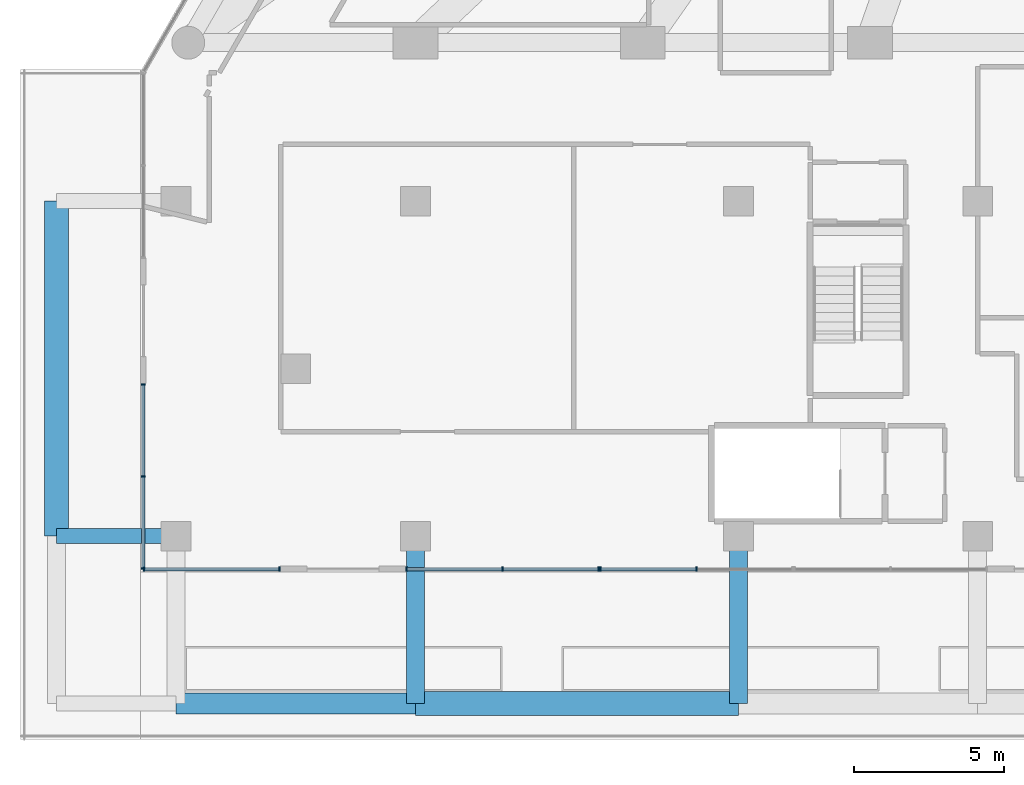
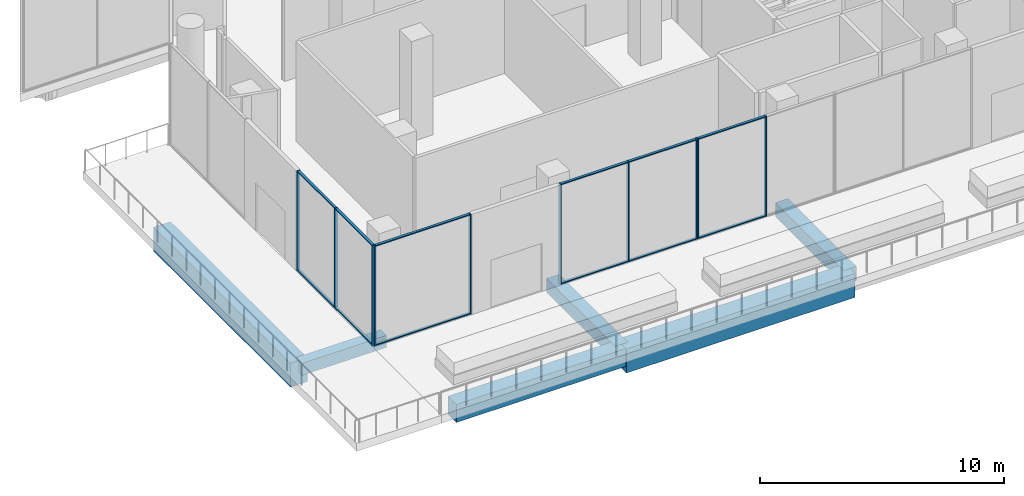
# One storey, part 2 of 32: 22 members, 6 beams, 4 elements without a shape of their own.
"""IFC4 building model written with IfcOpenShell, lengths in metres."""

from ifc_helpers import new_model, si_unit, direction, frame, origin, origin_2d, place, context, subcontext, project, spatial, rectangle, extrude, material, layer, layer_set, material_profile, profile_set, type_object, element, aggregate, save


model = new_model("IFC4")

# Units and contexts
model_context = context("Model", 3, precision=1e-05, world=origin(), true_north=direction((0.0, 1.0)))
body_context = subcontext(model_context, "Body", "Model", "MODEL_VIEW")
ifc_project = project(units=[si_unit("LENGTHUNIT", "METRE"), si_unit("AREAUNIT", "SQUARE_METRE"), si_unit("VOLUMEUNIT", "CUBIC_METRE"), si_unit("PLANEANGLEUNIT", "RADIAN"), si_unit("MASSUNIT", "GRAM", prefix="KILO")], contexts=[model_context])

# Site, building, storey
site_placement = place(None, origin())
site = spatial("IfcSite", under=ifc_project, at=site_placement, CompositionType="ELEMENT")
building_placement = place(site_placement, origin())
building = spatial("IfcBuilding", under=site, at=building_placement, Name="Triada Interchange Tower", CompositionType="ELEMENT")
storey_placement = place(building_placement, frame((0.0, 0.0, 14.5)))
storey = spatial("IfcBuildingStorey", under=building, at=storey_placement, Name="L02", CompositionType="ELEMENT", Elevation=14.5)

# Curtain wall, members
ifc_material_1 = material(Name="Aluminium framed glazing", Category="aluminium")
ifc_layer = layer(ifc_material_1, 0.199951171875)
ifc_layer_set = layer_set([ifc_layer], Name="Curtain wall Retail shopfront")
curtain_wall_type = type_object("IfcCurtainWallType", Name="Curtain wall Retail shopfront", PredefinedType="NOTDEFINED", material=ifc_layer_set)
curtain_wall_1_placement = place(storey_placement, origin())
curtain_wall_1 = element("IfcCurtainWall", 1, at=curtain_wall_1_placement, inside=storey, type_object=curtain_wall_type, Name="Retail shopfront CW001 L02", PredefinedType="NOTDEFINED")
ifc_material_2 = material(Name="Aluminium", Category="aluminium")
ifc_material_profile_1 = material_profile(ifc_material_2, rectangle(XDim=0.14990234375, YDim=0.050048828125, at=origin_2d()), Name="Aluminium mullion")
ifc_profile_set_1 = profile_set([ifc_material_profile_1], Name="Aluminium")
member_type_1 = type_object("IfcMemberType", Name="Mullion Retail shopfront 150x50", PredefinedType="MULLION", material=ifc_profile_set_1)
member_1_placement = place(storey_placement, frame((-31.875, -39.199951171875, 0.0), z_axis=(0.0, 0.0, 1.0), x_axis=(0.0, 1.0, 0.0)))
member_1 = element("IfcMember", 2, at=member_1_placement, type_object=member_type_1, Name="CW001 mullion 1", PredefinedType="MULLION", context=body_context, shape_type="SweptSolid", body=[
    extrude(rectangle(XDim=0.14990234375, YDim=0.050048828125, at=origin_2d()), origin(), (0.0, 0.0, 1.0), 5.0),
])
member_2_placement = place(storey_placement, frame((-27.35009765625, -39.199951171875, 0.0), z_axis=(0.0, 0.0, 1.0), x_axis=(0.0, 1.0, 0.0)))
member_2 = element("IfcMember", 3, at=member_2_placement, type_object=member_type_1, Name="CW001 mullion 2", PredefinedType="MULLION", context=body_context, shape_type="SweptSolid", body=[
    extrude(rectangle(XDim=0.14990234375, YDim=0.050048828125, at=origin_2d()), origin(), (0.0, 0.0, 1.0), 5.0),
])

curtain_wall_2_placement = place(storey_placement, origin())
curtain_wall_2 = element("IfcCurtainWall", 4, at=curtain_wall_2_placement, inside=storey, type_object=curtain_wall_type, Name="Retail shopfront CW002 L02", PredefinedType="NOTDEFINED")
member_3_placement = place(storey_placement, frame((-23.10009765625, -39.199951171875, 0.0), z_axis=(0.0, 0.0, 1.0), x_axis=(0.0, 1.0, 0.0)))
member_3 = element("IfcMember", 5, at=member_3_placement, type_object=member_type_1, Name="CW002 mullion 1", PredefinedType="MULLION", context=body_context, shape_type="SweptSolid", body=[
    extrude(rectangle(XDim=0.14990234375, YDim=0.050048828125, at=origin_2d()), origin(), (0.0, 0.0, 1.0), 5.0),
])
member_4_placement = place(storey_placement, frame((-19.885986328125, -39.199951171875, 0.0), z_axis=(0.0, 0.0, 1.0), x_axis=(0.0, 1.0, 0.0)))
member_4 = element("IfcMember", 6, at=member_4_placement, type_object=member_type_1, Name="CW002 mullion 2", PredefinedType="MULLION", context=body_context, shape_type="SweptSolid", body=[
    extrude(rectangle(XDim=0.14990234375, YDim=0.050048828125, at=origin_2d()), origin(), (0.0, 0.0, 1.0), 5.0),
])
member_5_placement = place(storey_placement, frame((-16.672119140625, -39.199951171875, 0.0), z_axis=(0.0, 0.0, 1.0), x_axis=(0.0, 1.0, 0.0)))
member_5 = element("IfcMember", 7, at=member_5_placement, type_object=member_type_1, Name="CW002 mullion 3", PredefinedType="MULLION", context=body_context, shape_type="SweptSolid", body=[
    extrude(rectangle(XDim=0.14990234375, YDim=0.050048828125, at=origin_2d()), origin(), (0.0, 0.0, 1.0), 5.0),
])

curtain_wall_3_placement = place(storey_placement, origin())
curtain_wall_3 = element("IfcCurtainWall", 8, at=curtain_wall_3_placement, inside=storey, type_object=curtain_wall_type, Name="Retail shopfront CW003 L02", PredefinedType="NOTDEFINED")
member_6_placement = place(storey_placement, frame((-16.612060546875, -39.199951171875, 0.0), z_axis=(0.0, 0.0, 1.0), x_axis=(0.0, 1.0, 0.0)))
member_6 = element("IfcMember", 9, at=member_6_placement, type_object=member_type_1, Name="CW003 mullion 1", PredefinedType="MULLION", context=body_context, shape_type="SweptSolid", body=[
    extrude(rectangle(XDim=0.14990234375, YDim=0.050048828125, at=origin_2d()), origin(), (0.0, 0.0, 1.0), 5.0),
])
member_7_placement = place(storey_placement, frame((-13.39990234375, -39.199951171875, 0.0), z_axis=(0.0, 0.0, 1.0), x_axis=(0.0, 1.0, 0.0)))
member_7 = element("IfcMember", 10, at=member_7_placement, type_object=member_type_1, Name="CW003 mullion 2", PredefinedType="MULLION", context=body_context, shape_type="SweptSolid", body=[
    extrude(rectangle(XDim=0.14990234375, YDim=0.050048828125, at=origin_2d()), origin(), (0.0, 0.0, 1.0), 5.0),
])

curtain_wall_4_placement = place(storey_placement, origin())
curtain_wall_4 = element("IfcCurtainWall", 11, at=curtain_wall_4_placement, inside=storey, type_object=curtain_wall_type, Name="Retail shopfront CW034 L02", PredefinedType="NOTDEFINED")
member_8_placement = place(storey_placement, frame((-31.89990234375, -33.02490234375, 0.0), z_axis=(0.0, 0.0, 1.0), x_axis=(1.0, 0.0, 0.0)))
member_8 = element("IfcMember", 12, at=member_8_placement, type_object=member_type_1, Name="CW034 mullion 1", PredefinedType="MULLION", context=body_context, shape_type="SweptSolid", body=[
    extrude(rectangle(XDim=0.14990234375, YDim=0.050048828125, at=origin_2d()), origin(), (0.0, 0.0, 1.0), 5.0),
])
member_9_placement = place(storey_placement, frame((-31.89990234375, -36.10009765625, 0.0), z_axis=(0.0, 0.0, 1.0), x_axis=(1.0, 0.0, 0.0)))
member_9 = element("IfcMember", 13, at=member_9_placement, type_object=member_type_1, Name="CW034 mullion 2", PredefinedType="MULLION", context=body_context, shape_type="SweptSolid", body=[
    extrude(rectangle(XDim=0.14990234375, YDim=0.050048828125, at=origin_2d()), origin(), (0.0, 0.0, 1.0), 5.0),
])
member_10_placement = place(storey_placement, frame((-31.89990234375, -39.175048828125, 0.0), z_axis=(0.0, 0.0, 1.0), x_axis=(1.0, 0.0, 0.0)))
member_10 = element("IfcMember", 14, at=member_10_placement, type_object=member_type_1, Name="CW034 mullion 3", PredefinedType="MULLION", context=body_context, shape_type="SweptSolid", body=[
    extrude(rectangle(XDim=0.14990234375, YDim=0.050048828125, at=origin_2d()), origin(), (0.0, 0.0, 1.0), 5.0),
])

# Beams
ifc_material_3 = material(Name="Concrete C40/50", Category="concrete")
ifc_material_profile_2 = material_profile(ifc_material_3, rectangle(XDim=0.5, YDim=0.60009765625, at=origin_2d()), Name="RC 500x600")
ifc_profile_set_2 = profile_set([ifc_material_profile_2], Name="Concrete C40/50")
beam_type_1 = type_object("IfcBeamType", Name="Terrace beam RC 500x600", PredefinedType="BEAM", material=ifc_profile_set_2)
beam_1_placement = place(storey_placement, frame((-34.800048828125, -38.10009765625, -0.699951171875), z_axis=(1.0, 0.0, 0.0), x_axis=(0.0, 1.0, 0.0)))
element("IfcBeam", 15, at=beam_1_placement, inside=storey, type_object=beam_type_1, Name="Terrace beam TE02 L02", PredefinedType="BEAM", context=body_context, shape_type="SweptSolid", body=[
    extrude(rectangle(XDim=0.5, YDim=0.60009765625, at=origin_2d()), origin(), (0.0, 0.0, 1.0), 4.0),
])
ifc_material_profile_3 = material_profile(ifc_material_3, rectangle(XDim=0.60009765625, YDim=0.699951171875, at=origin_2d()), Name="RC 600x700")
ifc_profile_set_3 = profile_set([ifc_material_profile_3], Name="Concrete C40/50")
beam_type_2 = type_object("IfcBeamType", Name="Terrace beam RC 600x700", PredefinedType="BEAM", material=ifc_profile_set_3)
for number, where, z_axis, x_axis, name in (
    (16, (-22.800048828125, -43.699951171875, -0.75), (0.0, 1.0, 0.0), (-1.0, 0.0, 0.0), "Terrace beam TE12 L02"),
    (17, (-12.0, -43.699951171875, -0.75), (0.0, 1.0, 0.0), (-1.0, 0.0, 0.0), "Terrace beam TE13 L02"),
):
    element("IfcBeam", number, at=place(storey_placement, frame(where, z_axis=z_axis, x_axis=x_axis)), inside=storey, type_object=beam_type_2, Name=name, PredefinedType="BEAM", context=body_context, shape_type="SweptSolid", body=[
        extrude(rectangle(XDim=0.60009765625, YDim=0.699951171875, at=origin_2d()), origin(), (0.0, 0.0, 1.0), 5.599853515625),
    ])
ifc_material_profile_4 = material_profile(ifc_material_3, rectangle(XDim=0.699951171875, YDim=0.89990234375, at=origin_2d()), Name="RC 700x900")
ifc_profile_set_4 = profile_set([ifc_material_profile_4], Name="Concrete C40/50")
beam_type_3 = type_object("IfcBeamType", Name="Terrace beam RC 700x900", PredefinedType="BEAM", material=ifc_profile_set_4)
beam_2_placement = place(storey_placement, frame((-30.800048828125, -43.699951171875, -0.85009765625), z_axis=(1.0, 0.0, 0.0), x_axis=(0.0, 1.0, 0.0)))
element("IfcBeam", 18, at=beam_2_placement, inside=storey, type_object=beam_type_3, Name="Terrace beam TE19 L02", PredefinedType="BEAM", context=body_context, shape_type="SweptSolid", body=[
    extrude(rectangle(XDim=0.699951171875, YDim=0.89990234375, at=origin_2d()), origin(), (0.0, 0.0, 1.0), 8.0),
])
ifc_material_profile_5 = material_profile(ifc_material_3, rectangle(XDim=0.800048828125, YDim=1.199951171875, at=origin_2d()), Name="RC 800x1200")
ifc_profile_set_5 = profile_set([ifc_material_profile_5], Name="Concrete C40/50")
beam_type_4 = type_object("IfcBeamType", Name="Terrace beam RC 800x1200", PredefinedType="BEAM", material=ifc_profile_set_5)
beam_3_placement = place(storey_placement, frame((-34.800048828125, -38.10009765625, -1.0), z_axis=(0.0, 1.0, 0.0), x_axis=(-1.0, 0.0, 0.0)))
element("IfcBeam", 19, at=beam_3_placement, inside=storey, type_object=beam_type_4, Name="Terrace beam TE05 L02", PredefinedType="BEAM", context=body_context, shape_type="SweptSolid", body=[
    extrude(rectangle(XDim=0.800048828125, YDim=1.199951171875, at=origin_2d()), origin(), (0.0, 0.0, 1.0), 11.2001953125),
])
beam_4_placement = place(storey_placement, frame((-22.800048828125, -43.699951171875, -1.0), z_axis=(1.0, 0.0, 0.0), x_axis=(0.0, 1.0, 0.0)))
element("IfcBeam", 20, at=beam_4_placement, inside=storey, type_object=beam_type_4, Name="Terrace beam TE20 L02", PredefinedType="BEAM", context=body_context, shape_type="SweptSolid", body=[
    extrude(rectangle(XDim=0.800048828125, YDim=1.199951171875, at=origin_2d()), origin(), (0.0, 0.0, 1.0), 10.800048828125),
])

# Member
ifc_material_profile_6 = material_profile(ifc_material_2, rectangle(XDim=0.1201171875, YDim=0.050048828125, at=origin_2d()), Name="Aluminium transom")
ifc_profile_set_6 = profile_set([ifc_material_profile_6], Name="Aluminium")
member_type_2 = type_object("IfcMemberType", Name="Transom Retail shopfront 120x50", PredefinedType="USERDEFINED", material=ifc_profile_set_6)
member_11_placement = place(storey_placement, frame((-31.85009765625, -39.199951171875, 0.02490234375), z_axis=(1.0, 0.0, 0.0), x_axis=(0.0, 1.0, 0.0)))
member_11 = element("IfcMember", 21, at=member_11_placement, type_object=member_type_2, Name="CW001 transom 1.1", ObjectType="TRANSOM", PredefinedType="USERDEFINED", context=body_context, shape_type="SweptSolid", body=[
    extrude(rectangle(XDim=0.1201171875, YDim=0.050048828125, at=origin_2d()), origin(), (0.0, 0.0, 1.0), 4.47509765625),
])

member_12_placement = place(storey_placement, frame((-31.85009765625, -39.199951171875, 4.97509765625), z_axis=(1.0, 0.0, 0.0), x_axis=(0.0, 1.0, 0.0)))
member_12 = element("IfcMember", 22, at=member_12_placement, type_object=member_type_2, Name="CW001 transom 1.2", ObjectType="TRANSOM", PredefinedType="USERDEFINED", context=body_context, shape_type="SweptSolid", body=[
    extrude(rectangle(XDim=0.1201171875, YDim=0.050048828125, at=origin_2d()), origin(), (0.0, 0.0, 1.0), 4.47509765625),
])

aggregate(curtain_wall_1, [member_1, member_2, member_11, member_12])

member_13_placement = place(storey_placement, frame((-23.074951171875, -39.199951171875, 0.02490234375), z_axis=(1.0, 0.0, 0.0), x_axis=(0.0, 1.0, 0.0)))
member_13 = element("IfcMember", 23, at=member_13_placement, type_object=member_type_2, Name="CW002 transom 1.1", ObjectType="TRANSOM", PredefinedType="USERDEFINED", context=body_context, shape_type="SweptSolid", body=[
    extrude(rectangle(XDim=0.1201171875, YDim=0.050048828125, at=origin_2d()), origin(), (0.0, 0.0, 1.0), 3.1640625),
])

member_14_placement = place(storey_placement, frame((-23.074951171875, -39.199951171875, 4.97509765625), z_axis=(1.0, 0.0, 0.0), x_axis=(0.0, 1.0, 0.0)))
member_14 = element("IfcMember", 24, at=member_14_placement, type_object=member_type_2, Name="CW002 transom 1.2", ObjectType="TRANSOM", PredefinedType="USERDEFINED", context=body_context, shape_type="SweptSolid", body=[
    extrude(rectangle(XDim=0.1201171875, YDim=0.050048828125, at=origin_2d()), origin(), (0.0, 0.0, 1.0), 3.1640625),
])

member_15_placement = place(storey_placement, frame((-19.861083984375, -39.199951171875, 0.02490234375), z_axis=(1.0, 0.0, 0.0), x_axis=(0.0, 1.0, 0.0)))
member_15 = element("IfcMember", 25, at=member_15_placement, type_object=member_type_2, Name="CW002 transom 2.1", ObjectType="TRANSOM", PredefinedType="USERDEFINED", context=body_context, shape_type="SweptSolid", body=[
    extrude(rectangle(XDim=0.1201171875, YDim=0.050048828125, at=origin_2d()), origin(), (0.0, 0.0, 1.0), 3.1640625),
])

member_16_placement = place(storey_placement, frame((-19.861083984375, -39.199951171875, 4.97509765625), z_axis=(1.0, 0.0, 0.0), x_axis=(0.0, 1.0, 0.0)))
member_16 = element("IfcMember", 26, at=member_16_placement, type_object=member_type_2, Name="CW002 transom 2.2", ObjectType="TRANSOM", PredefinedType="USERDEFINED", context=body_context, shape_type="SweptSolid", body=[
    extrude(rectangle(XDim=0.1201171875, YDim=0.050048828125, at=origin_2d()), origin(), (0.0, 0.0, 1.0), 3.1640625),
])

aggregate(curtain_wall_2, [member_3, member_4, member_5, member_13, member_14, member_15, member_16])

member_17_placement = place(storey_placement, frame((-16.5869140625, -39.199951171875, 0.02490234375), z_axis=(1.0, 0.0, 0.0), x_axis=(0.0, 1.0, 0.0)))
member_17 = element("IfcMember", 27, at=member_17_placement, type_object=member_type_2, Name="CW003 transom 1.1", ObjectType="TRANSOM", PredefinedType="USERDEFINED", context=body_context, shape_type="SweptSolid", body=[
    extrude(rectangle(XDim=0.1201171875, YDim=0.050048828125, at=origin_2d()), origin(), (0.0, 0.0, 1.0), 3.161865234375),
])

member_18_placement = place(storey_placement, frame((-16.5869140625, -39.199951171875, 4.97509765625), z_axis=(1.0, 0.0, 0.0), x_axis=(0.0, 1.0, 0.0)))
member_18 = element("IfcMember", 28, at=member_18_placement, type_object=member_type_2, Name="CW003 transom 1.2", ObjectType="TRANSOM", PredefinedType="USERDEFINED", context=body_context, shape_type="SweptSolid", body=[
    extrude(rectangle(XDim=0.1201171875, YDim=0.050048828125, at=origin_2d()), origin(), (0.0, 0.0, 1.0), 3.161865234375),
])

aggregate(curtain_wall_3, [member_6, member_7, member_17, member_18])

member_19_placement = place(storey_placement, frame((-31.89990234375, -33.050048828125, 0.02490234375), z_axis=(0.0, -1.0, 0.0), x_axis=(1.0, 0.0, 0.0)))
member_19 = element("IfcMember", 29, at=member_19_placement, type_object=member_type_2, Name="CW034 transom 1.1", ObjectType="TRANSOM", PredefinedType="USERDEFINED", context=body_context, shape_type="SweptSolid", body=[
    extrude(rectangle(XDim=0.1201171875, YDim=0.050048828125, at=origin_2d()), origin(), (0.0, 0.0, 1.0), 3.02490234375),
])

member_20_placement = place(storey_placement, frame((-31.89990234375, -33.050048828125, 4.97509765625), z_axis=(0.0, -1.0, 0.0), x_axis=(1.0, 0.0, 0.0)))
member_20 = element("IfcMember", 30, at=member_20_placement, type_object=member_type_2, Name="CW034 transom 1.2", ObjectType="TRANSOM", PredefinedType="USERDEFINED", context=body_context, shape_type="SweptSolid", body=[
    extrude(rectangle(XDim=0.1201171875, YDim=0.050048828125, at=origin_2d()), origin(), (0.0, 0.0, 1.0), 3.02490234375),
])

member_21_placement = place(storey_placement, frame((-31.89990234375, -36.125, 0.02490234375), z_axis=(0.0, -1.0, 0.0), x_axis=(1.0, 0.0, 0.0)))
member_21 = element("IfcMember", 31, at=member_21_placement, type_object=member_type_2, Name="CW034 transom 2.1", ObjectType="TRANSOM", PredefinedType="USERDEFINED", context=body_context, shape_type="SweptSolid", body=[
    extrude(rectangle(XDim=0.1201171875, YDim=0.050048828125, at=origin_2d()), origin(), (0.0, 0.0, 1.0), 3.02490234375),
])

member_22_placement = place(storey_placement, frame((-31.89990234375, -36.125, 4.97509765625), z_axis=(0.0, -1.0, 0.0), x_axis=(1.0, 0.0, 0.0)))
member_22 = element("IfcMember", 32, at=member_22_placement, type_object=member_type_2, Name="CW034 transom 2.2", ObjectType="TRANSOM", PredefinedType="USERDEFINED", context=body_context, shape_type="SweptSolid", body=[
    extrude(rectangle(XDim=0.1201171875, YDim=0.050048828125, at=origin_2d()), origin(), (0.0, 0.0, 1.0), 3.02490234375),
])

aggregate(curtain_wall_4, [member_8, member_9, member_10, member_19, member_20, member_21, member_22])

save(model, "model.ifc")
